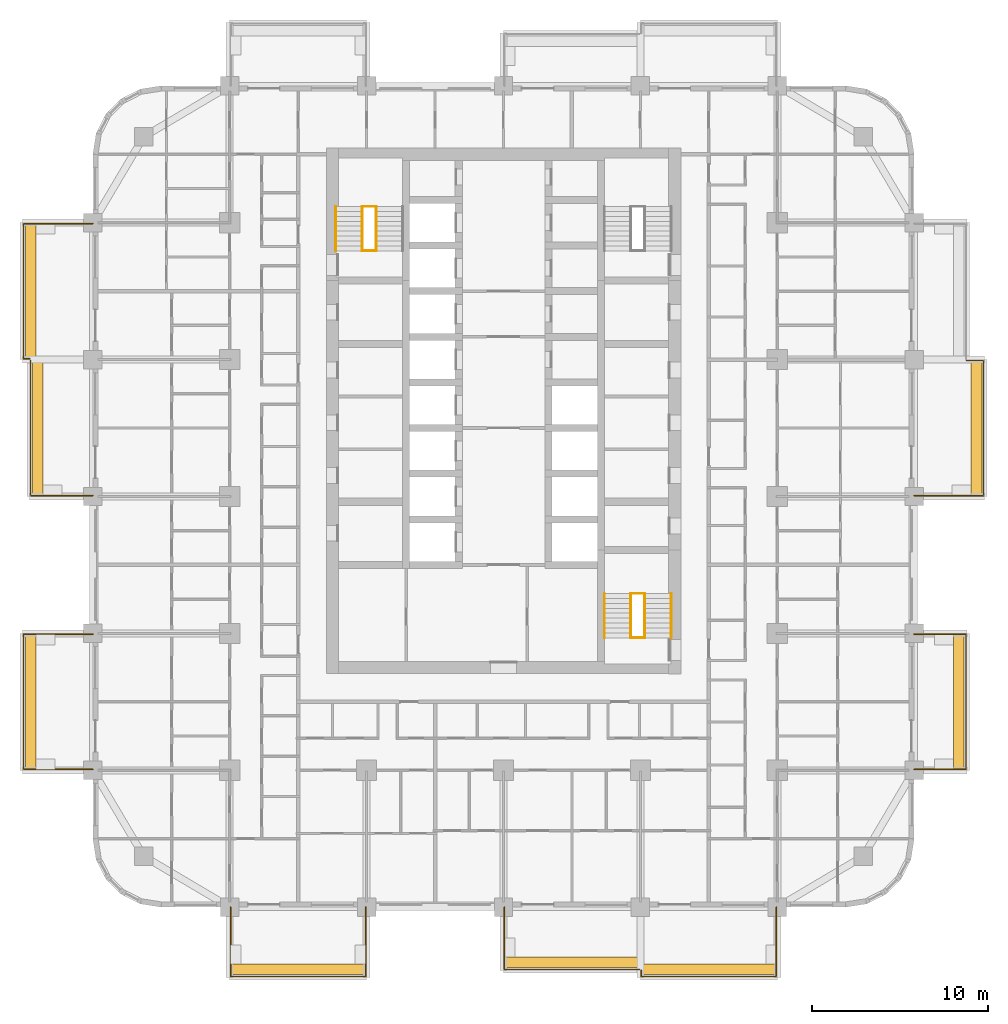
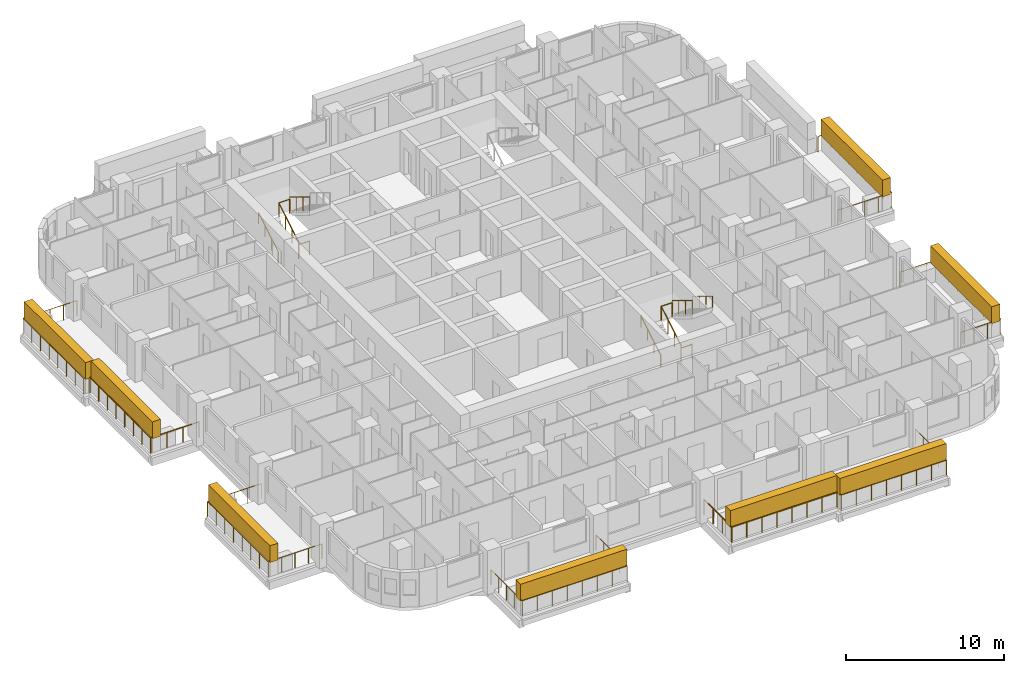
# One storey, part 17 of 18: 19 railings, 8 coverings, 2 elements without a shape of their own.
"""IFC4 building model written with IfcOpenShell, lengths in metres."""

from ifc_helpers import new_model, si_unit, direction, frame, origin, origin_2d, place, context, subcontext, project, spatial, rectangle, circle, extrude, material, layer, layer_set, type_object, element, aggregate, save


model = new_model("IFC4")

# Units and contexts
model_context = context("Model", 3, precision=1e-05, world=origin(), true_north=direction((0.0, 1.0)))
body_context = subcontext(model_context, "Body", "Model", "MODEL_VIEW")
ifc_project = project(units=[si_unit("LENGTHUNIT", "METRE"), si_unit("AREAUNIT", "SQUARE_METRE"), si_unit("VOLUMEUNIT", "CUBIC_METRE"), si_unit("PLANEANGLEUNIT", "RADIAN"), si_unit("MASSUNIT", "GRAM", prefix="KILO")], contexts=[model_context])

# Site, building, storey
site_placement = place(None, origin())
site = spatial("IfcSite", under=ifc_project, at=site_placement, CompositionType="ELEMENT")
building_placement = place(site_placement, origin())
building = spatial("IfcBuilding", under=site, at=building_placement, Name="Ludao Terraces", CompositionType="ELEMENT")
storey_placement = place(building_placement, frame((0.0, 0.0, 29.699951171875)))
storey = spatial("IfcBuildingStorey", under=building, at=storey_placement, Name="L07", CompositionType="ELEMENT", Elevation=29.699951171875)

# Railings
ifc_material_1 = material(Name="Stainless steel 304", Category="steel")
railing_type_1 = type_object("IfcRailingType", Name="ENV Balcony glass guard 1200", PredefinedType="GUARDRAIL", material=ifc_material_1)
railing_1_placement = place(storey_placement, frame((69.449951171875, 41.60009765625, 0.0)))
element("IfcRailing", 1, at=railing_1_placement, inside=storey, type_object=railing_type_1, Name="Balcony guard L07 S1", PredefinedType="GUARDRAIL", context=body_context, shape_type="SweptSolid", body=[
    extrude(circle(Radius=0.02392578125, at=origin_2d()), frame((0.0, 0.0, 1.17578125), z_axis=(0.0, -1.0, 0.0), x_axis=(1.0, 0.0, 0.0)), (0.0, 0.0, 1.0), 3.9501953125),
    extrude(circle(Radius=0.02392578125, at=origin_2d()), frame((0.0, -3.9501953125, 1.17578125), z_axis=(1.0, 0.0, 0.0), x_axis=(0.0, 1.0, 0.0)), (0.0, 0.0, 1.0), 7.699951171875),
    extrude(circle(Radius=0.02392578125, at=origin_2d()), frame((7.699951171875, -3.9501953125, 1.17578125), z_axis=(0.0, 1.0, 0.0), x_axis=(-1.0, 0.0, 0.0)), (0.0, 0.0, 1.0), 3.9501953125),
    extrude(circle(Radius=0.02099609375, at=origin_2d()), origin(), (0.0, 0.0, 1.0), 1.15185546875),
    extrude(circle(Radius=0.02099609375, at=origin_2d()), frame((0.0, -0.987548828125, 0.0)), (0.0, 0.0, 1.0), 1.15185546875),
    extrude(circle(Radius=0.02099609375, at=origin_2d()), frame((0.0, -1.97509765625, 0.0)), (0.0, 0.0, 1.0), 1.15185546875),
    extrude(circle(Radius=0.02099609375, at=origin_2d()), frame((0.0, -2.962646484375, 0.0)), (0.0, 0.0, 1.0), 1.15185546875),
    extrude(circle(Radius=0.02099609375, at=origin_2d()), frame((0.0, -3.9501953125, 0.0)), (0.0, 0.0, 1.0), 1.15185546875),
    extrude(circle(Radius=0.02099609375, at=origin_2d()), frame((1.10009765625, -3.9501953125, 0.0)), (0.0, 0.0, 1.0), 1.15185546875),
    extrude(circle(Radius=0.02099609375, at=origin_2d()), frame((2.199951171875, -3.9501953125, 0.0)), (0.0, 0.0, 1.0), 1.15185546875),
    extrude(circle(Radius=0.02099609375, at=origin_2d()), frame((3.300048828125, -3.9501953125, 0.0)), (0.0, 0.0, 1.0), 1.15185546875),
    extrude(circle(Radius=0.02099609375, at=origin_2d()), frame((4.39990234375, -3.9501953125, 0.0)), (0.0, 0.0, 1.0), 1.15185546875),
    extrude(circle(Radius=0.02099609375, at=origin_2d()), frame((5.5, -3.9501953125, 0.0)), (0.0, 0.0, 1.0), 1.15185546875),
    extrude(circle(Radius=0.02099609375, at=origin_2d()), frame((6.599853515625, -3.9501953125, 0.0)), (0.0, 0.0, 1.0), 1.15185546875),
    extrude(circle(Radius=0.02099609375, at=origin_2d()), frame((7.699951171875, -3.9501953125, 0.0)), (0.0, 0.0, 1.0), 1.15185546875),
    extrude(circle(Radius=0.02099609375, at=origin_2d()), frame((7.699951171875, -2.962646484375, 0.0)), (0.0, 0.0, 1.0), 1.15185546875),
    extrude(circle(Radius=0.02099609375, at=origin_2d()), frame((7.699951171875, -1.97509765625, 0.0)), (0.0, 0.0, 1.0), 1.15185546875),
    extrude(circle(Radius=0.02099609375, at=origin_2d()), frame((7.699951171875, -0.987548828125, 0.0)), (0.0, 0.0, 1.0), 1.15185546875),
    extrude(circle(Radius=0.02099609375, at=origin_2d()), frame((7.699951171875, 0.0, 0.0)), (0.0, 0.0, 1.0), 1.15185546875),
])
railing_2_placement = place(storey_placement, frame((85.050048828125, 41.60009765625, 0.0)))
element("IfcRailing", 2, at=railing_2_placement, inside=storey, type_object=railing_type_1, Name="Balcony guard L07 S3", PredefinedType="GUARDRAIL", context=body_context, shape_type="SweptSolid", body=[
    extrude(circle(Radius=0.02392578125, at=origin_2d()), frame((0.0, 0.0, 1.17578125), z_axis=(0.0, -1.0, 0.0), x_axis=(1.0, 0.0, 0.0)), (0.0, 0.0, 1.0), 3.550048828125),
    extrude(circle(Radius=0.02392578125, at=origin_2d()), frame((0.0, -3.550048828125, 1.17578125), z_axis=(1.0, 0.0, 0.0), x_axis=(0.0, 1.0, 0.0)), (0.0, 0.0, 1.0), 7.699951171875),
    extrude(circle(Radius=0.02099609375, at=origin_2d()), origin(), (0.0, 0.0, 1.0), 1.15185546875),
    extrude(circle(Radius=0.02099609375, at=origin_2d()), frame((0.0, -1.183349609375, 0.0)), (0.0, 0.0, 1.0), 1.15185546875),
    extrude(circle(Radius=0.02099609375, at=origin_2d()), frame((0.0, -2.36669921875, 0.0)), (0.0, 0.0, 1.0), 1.15185546875),
    extrude(circle(Radius=0.02099609375, at=origin_2d()), frame((0.0, -3.550048828125, 0.0)), (0.0, 0.0, 1.0), 1.15185546875),
    extrude(circle(Radius=0.02099609375, at=origin_2d()), frame((1.10009765625, -3.550048828125, 0.0)), (0.0, 0.0, 1.0), 1.15185546875),
    extrude(circle(Radius=0.02099609375, at=origin_2d()), frame((2.199951171875, -3.550048828125, 0.0)), (0.0, 0.0, 1.0), 1.15185546875),
    extrude(circle(Radius=0.02099609375, at=origin_2d()), frame((3.300048828125, -3.550048828125, 0.0)), (0.0, 0.0, 1.0), 1.15185546875),
    extrude(circle(Radius=0.02099609375, at=origin_2d()), frame((4.39990234375, -3.550048828125, 0.0)), (0.0, 0.0, 1.0), 1.15185546875),
    extrude(circle(Radius=0.02099609375, at=origin_2d()), frame((5.5, -3.550048828125, 0.0)), (0.0, 0.0, 1.0), 1.15185546875),
    extrude(circle(Radius=0.02099609375, at=origin_2d()), frame((6.599853515625, -3.550048828125, 0.0)), (0.0, 0.0, 1.0), 1.15185546875),
    extrude(circle(Radius=0.02099609375, at=origin_2d()), frame((7.699951171875, -3.550048828125, 0.0)), (0.0, 0.0, 1.0), 1.15185546875),
])
railing_3_placement = place(storey_placement, frame((92.85009765625, 38.0, 0.0)))
element("IfcRailing", 3, at=railing_3_placement, inside=storey, type_object=railing_type_1, Name="Balcony guard L07 S4", PredefinedType="GUARDRAIL", context=body_context, shape_type="SweptSolid", body=[
    extrude(circle(Radius=0.02392578125, at=origin_2d()), frame((0.0, 0.0, 1.17578125), z_axis=(0.0, -1.0, 0.0), x_axis=(1.0, 0.0, 0.0)), (0.0, 0.0, 1.0), 0.35009765625),
    extrude(circle(Radius=0.02392578125, at=origin_2d()), frame((0.0, -0.35009765625, 1.17578125), z_axis=(1.0, 0.0, 0.0), x_axis=(0.0, 1.0, 0.0)), (0.0, 0.0, 1.0), 7.699951171875),
    extrude(circle(Radius=0.02392578125, at=origin_2d()), frame((7.699951171875, -0.35009765625, 1.17578125), z_axis=(0.0, 1.0, 0.0), x_axis=(-1.0, 0.0, 0.0)), (0.0, 0.0, 1.0), 3.9501953125),
    extrude(circle(Radius=0.02099609375, at=origin_2d()), origin(), (0.0, 0.0, 1.0), 1.15185546875),
    extrude(circle(Radius=0.02099609375, at=origin_2d()), frame((0.0, -0.35009765625, 0.0)), (0.0, 0.0, 1.0), 1.15185546875),
    extrude(circle(Radius=0.02099609375, at=origin_2d()), frame((1.10009765625, -0.35009765625, 0.0)), (0.0, 0.0, 1.0), 1.15185546875),
    extrude(circle(Radius=0.02099609375, at=origin_2d()), frame((2.199951171875, -0.35009765625, 0.0)), (0.0, 0.0, 1.0), 1.15185546875),
    extrude(circle(Radius=0.02099609375, at=origin_2d()), frame((3.300048828125, -0.35009765625, 0.0)), (0.0, 0.0, 1.0), 1.15185546875),
    extrude(circle(Radius=0.02099609375, at=origin_2d()), frame((4.39990234375, -0.35009765625, 0.0)), (0.0, 0.0, 1.0), 1.15185546875),
    extrude(circle(Radius=0.02099609375, at=origin_2d()), frame((5.5, -0.35009765625, 0.0)), (0.0, 0.0, 1.0), 1.15185546875),
    extrude(circle(Radius=0.02099609375, at=origin_2d()), frame((6.599853515625, -0.35009765625, 0.0)), (0.0, 0.0, 1.0), 1.15185546875),
    extrude(circle(Radius=0.02099609375, at=origin_2d()), frame((7.699951171875, -0.35009765625, 0.0)), (0.0, 0.0, 1.0), 1.15185546875),
    extrude(circle(Radius=0.02099609375, at=origin_2d()), frame((7.699951171875, 0.637451171875, 0.0)), (0.0, 0.0, 1.0), 1.15185546875),
    extrude(circle(Radius=0.02099609375, at=origin_2d()), frame((7.699951171875, 1.625, 0.0)), (0.0, 0.0, 1.0), 1.15185546875),
    extrude(circle(Radius=0.02099609375, at=origin_2d()), frame((7.699951171875, 2.612548828125, 0.0)), (0.0, 0.0, 1.0), 1.15185546875),
    extrude(circle(Radius=0.02099609375, at=origin_2d()), frame((7.699951171875, 3.60009765625, 0.0)), (0.0, 0.0, 1.0), 1.15185546875),
])
railing_4_placement = place(storey_placement, frame((108.39990234375, 49.449951171875, 0.0)))
element("IfcRailing", 4, at=railing_4_placement, inside=storey, type_object=railing_type_1, Name="Balcony guard L07 E1", PredefinedType="GUARDRAIL", context=body_context, shape_type="SweptSolid", body=[
    extrude(circle(Radius=0.02392578125, at=origin_2d()), frame((0.0, 0.0, 1.17578125), z_axis=(1.0, 0.0, 0.0), x_axis=(0.0, 1.0, 0.0)), (0.0, 0.0, 1.0), 2.9501953125),
    extrude(circle(Radius=0.02392578125, at=origin_2d()), frame((2.9501953125, 0.0, 1.17578125), z_axis=(0.0, 1.0, 0.0), x_axis=(-1.0, 0.0, 0.0)), (0.0, 0.0, 1.0), 7.699951171875),
    extrude(circle(Radius=0.02392578125, at=origin_2d()), frame((2.9501953125, 7.699951171875, 1.17578125), z_axis=(-1.0, 0.0, 0.0), x_axis=(0.0, -1.0, 0.0)), (0.0, 0.0, 1.0), 2.9501953125),
    extrude(circle(Radius=0.02099609375, at=origin_2d()), origin(), (0.0, 0.0, 1.0), 1.15185546875),
    extrude(circle(Radius=0.02099609375, at=origin_2d()), frame((0.9833984375, 0.0, 0.0)), (0.0, 0.0, 1.0), 1.15185546875),
    extrude(circle(Radius=0.02099609375, at=origin_2d()), frame((1.966796875, 0.0, 0.0)), (0.0, 0.0, 1.0), 1.15185546875),
    extrude(circle(Radius=0.02099609375, at=origin_2d()), frame((2.9501953125, 0.0, 0.0)), (0.0, 0.0, 1.0), 1.15185546875),
    extrude(circle(Radius=0.02099609375, at=origin_2d()), frame((2.9501953125, 1.10009765625, 0.0)), (0.0, 0.0, 1.0), 1.15185546875),
    extrude(circle(Radius=0.02099609375, at=origin_2d()), frame((2.9501953125, 2.199951171875, 0.0)), (0.0, 0.0, 1.0), 1.15185546875),
    extrude(circle(Radius=0.02099609375, at=origin_2d()), frame((2.9501953125, 3.300048828125, 0.0)), (0.0, 0.0, 1.0), 1.15185546875),
    extrude(circle(Radius=0.02099609375, at=origin_2d()), frame((2.9501953125, 4.39990234375, 0.0)), (0.0, 0.0, 1.0), 1.15185546875),
    extrude(circle(Radius=0.02099609375, at=origin_2d()), frame((2.9501953125, 5.5, 0.0)), (0.0, 0.0, 1.0), 1.15185546875),
    extrude(circle(Radius=0.02099609375, at=origin_2d()), frame((2.9501953125, 6.599853515625, 0.0)), (0.0, 0.0, 1.0), 1.15185546875),
    extrude(circle(Radius=0.02099609375, at=origin_2d()), frame((2.9501953125, 7.699951171875, 0.0)), (0.0, 0.0, 1.0), 1.15185546875),
    extrude(circle(Radius=0.02099609375, at=origin_2d()), frame((1.966796875, 7.699951171875, 0.0)), (0.0, 0.0, 1.0), 1.15185546875),
    extrude(circle(Radius=0.02099609375, at=origin_2d()), frame((0.9833984375, 7.699951171875, 0.0)), (0.0, 0.0, 1.0), 1.15185546875),
    extrude(circle(Radius=0.02099609375, at=origin_2d()), frame((0.0, 7.699951171875, 0.0)), (0.0, 0.0, 1.0), 1.15185546875),
])
railing_5_placement = place(storey_placement, frame((108.39990234375, 65.050048828125, 0.0)))
element("IfcRailing", 5, at=railing_5_placement, inside=storey, type_object=railing_type_1, Name="Balcony guard L07 E3", PredefinedType="GUARDRAIL", context=body_context, shape_type="SweptSolid", body=[
    extrude(circle(Radius=0.02392578125, at=origin_2d()), frame((0.0, 0.0, 1.17578125), z_axis=(1.0, 0.0, 0.0), x_axis=(0.0, 1.0, 0.0)), (0.0, 0.0, 1.0), 3.9501953125),
    extrude(circle(Radius=0.02392578125, at=origin_2d()), frame((3.9501953125, 0.0, 1.17578125), z_axis=(0.0, 1.0, 0.0), x_axis=(-1.0, 0.0, 0.0)), (0.0, 0.0, 1.0), 7.699951171875),
    extrude(circle(Radius=0.02392578125, at=origin_2d()), frame((3.9501953125, 7.699951171875, 1.17578125), z_axis=(-1.0, 0.0, 0.0), x_axis=(0.0, -1.0, 0.0)), (0.0, 0.0, 1.0), 0.9501953125),
    extrude(circle(Radius=0.02099609375, at=origin_2d()), origin(), (0.0, 0.0, 1.0), 1.15185546875),
    extrude(circle(Radius=0.02099609375, at=origin_2d()), frame((0.987548828125, 0.0, 0.0)), (0.0, 0.0, 1.0), 1.15185546875),
    extrude(circle(Radius=0.02099609375, at=origin_2d()), frame((1.97509765625, 0.0, 0.0)), (0.0, 0.0, 1.0), 1.15185546875),
    extrude(circle(Radius=0.02099609375, at=origin_2d()), frame((2.962646484375, 0.0, 0.0)), (0.0, 0.0, 1.0), 1.15185546875),
    extrude(circle(Radius=0.02099609375, at=origin_2d()), frame((3.9501953125, 0.0, 0.0)), (0.0, 0.0, 1.0), 1.15185546875),
    extrude(circle(Radius=0.02099609375, at=origin_2d()), frame((3.9501953125, 1.10009765625, 0.0)), (0.0, 0.0, 1.0), 1.15185546875),
    extrude(circle(Radius=0.02099609375, at=origin_2d()), frame((3.9501953125, 2.199951171875, 0.0)), (0.0, 0.0, 1.0), 1.15185546875),
    extrude(circle(Radius=0.02099609375, at=origin_2d()), frame((3.9501953125, 3.300048828125, 0.0)), (0.0, 0.0, 1.0), 1.15185546875),
    extrude(circle(Radius=0.02099609375, at=origin_2d()), frame((3.9501953125, 4.39990234375, 0.0)), (0.0, 0.0, 1.0), 1.15185546875),
    extrude(circle(Radius=0.02099609375, at=origin_2d()), frame((3.9501953125, 5.5, 0.0)), (0.0, 0.0, 1.0), 1.15185546875),
    extrude(circle(Radius=0.02099609375, at=origin_2d()), frame((3.9501953125, 6.599853515625, 0.0)), (0.0, 0.0, 1.0), 1.15185546875),
    extrude(circle(Radius=0.02099609375, at=origin_2d()), frame((3.9501953125, 7.699951171875, 0.0)), (0.0, 0.0, 1.0), 1.15185546875),
    extrude(circle(Radius=0.02099609375, at=origin_2d()), frame((3.0, 7.699951171875, 0.0)), (0.0, 0.0, 1.0), 1.15185546875),
])
railing_6_placement = place(storey_placement, frame((61.60009765625, 49.449951171875, 0.0)))
element("IfcRailing", 6, at=railing_6_placement, inside=storey, type_object=railing_type_1, Name="Balcony guard L07 W1", PredefinedType="GUARDRAIL", context=body_context, shape_type="SweptSolid", body=[
    extrude(circle(Radius=0.02392578125, at=origin_2d()), frame((0.0, 0.0, 1.17578125), z_axis=(-1.0, 0.0, 0.0), x_axis=(0.0, -1.0, 0.0)), (0.0, 0.0, 1.0), 3.9501953125),
    extrude(circle(Radius=0.02392578125, at=origin_2d()), frame((-3.9501953125, 0.0, 1.17578125), z_axis=(0.0, 1.0, 0.0), x_axis=(-1.0, 0.0, 0.0)), (0.0, 0.0, 1.0), 7.699951171875),
    extrude(circle(Radius=0.02392578125, at=origin_2d()), frame((-3.9501953125, 7.699951171875, 1.17578125), z_axis=(1.0, 0.0, 0.0), x_axis=(0.0, 1.0, 0.0)), (0.0, 0.0, 1.0), 3.9501953125),
    extrude(circle(Radius=0.02099609375, at=origin_2d()), origin(), (0.0, 0.0, 1.0), 1.15185546875),
    extrude(circle(Radius=0.02099609375, at=origin_2d()), frame((-0.987548828125, 0.0, 0.0)), (0.0, 0.0, 1.0), 1.15185546875),
    extrude(circle(Radius=0.02099609375, at=origin_2d()), frame((-1.97509765625, 0.0, 0.0)), (0.0, 0.0, 1.0), 1.15185546875),
    extrude(circle(Radius=0.02099609375, at=origin_2d()), frame((-2.962646484375, 0.0, 0.0)), (0.0, 0.0, 1.0), 1.15185546875),
    extrude(circle(Radius=0.02099609375, at=origin_2d()), frame((-3.9501953125, 0.0, 0.0)), (0.0, 0.0, 1.0), 1.15185546875),
    extrude(circle(Radius=0.02099609375, at=origin_2d()), frame((-3.9501953125, 1.10009765625, 0.0)), (0.0, 0.0, 1.0), 1.15185546875),
    extrude(circle(Radius=0.02099609375, at=origin_2d()), frame((-3.9501953125, 2.199951171875, 0.0)), (0.0, 0.0, 1.0), 1.15185546875),
    extrude(circle(Radius=0.02099609375, at=origin_2d()), frame((-3.9501953125, 3.300048828125, 0.0)), (0.0, 0.0, 1.0), 1.15185546875),
    extrude(circle(Radius=0.02099609375, at=origin_2d()), frame((-3.9501953125, 4.39990234375, 0.0)), (0.0, 0.0, 1.0), 1.15185546875),
    extrude(circle(Radius=0.02099609375, at=origin_2d()), frame((-3.9501953125, 5.5, 0.0)), (0.0, 0.0, 1.0), 1.15185546875),
    extrude(circle(Radius=0.02099609375, at=origin_2d()), frame((-3.9501953125, 6.599853515625, 0.0)), (0.0, 0.0, 1.0), 1.15185546875),
    extrude(circle(Radius=0.02099609375, at=origin_2d()), frame((-3.9501953125, 7.699951171875, 0.0)), (0.0, 0.0, 1.0), 1.15185546875),
    extrude(circle(Radius=0.02099609375, at=origin_2d()), frame((-2.962646484375, 7.699951171875, 0.0)), (0.0, 0.0, 1.0), 1.15185546875),
    extrude(circle(Radius=0.02099609375, at=origin_2d()), frame((-1.97509765625, 7.699951171875, 0.0)), (0.0, 0.0, 1.0), 1.15185546875),
    extrude(circle(Radius=0.02099609375, at=origin_2d()), frame((-0.987548828125, 7.699951171875, 0.0)), (0.0, 0.0, 1.0), 1.15185546875),
    extrude(circle(Radius=0.02099609375, at=origin_2d()), frame((0.0, 7.699951171875, 0.0)), (0.0, 0.0, 1.0), 1.15185546875),
])
railing_7_placement = place(storey_placement, frame((61.60009765625, 65.050048828125, 0.0)))
element("IfcRailing", 7, at=railing_7_placement, inside=storey, type_object=railing_type_1, Name="Balcony guard L07 W3", PredefinedType="GUARDRAIL", context=body_context, shape_type="SweptSolid", body=[
    extrude(circle(Radius=0.02392578125, at=origin_2d()), frame((0.0, 0.0, 1.17578125), z_axis=(-1.0, 0.0, 0.0), x_axis=(0.0, -1.0, 0.0)), (0.0, 0.0, 1.0), 3.550048828125),
    extrude(circle(Radius=0.02392578125, at=origin_2d()), frame((-3.550048828125, 0.0, 1.17578125), z_axis=(0.0, 1.0, 0.0), x_axis=(-1.0, 0.0, 0.0)), (0.0, 0.0, 1.0), 7.699951171875),
    extrude(circle(Radius=0.02099609375, at=origin_2d()), origin(), (0.0, 0.0, 1.0), 1.15185546875),
    extrude(circle(Radius=0.02099609375, at=origin_2d()), frame((-1.183349609375, 0.0, 0.0)), (0.0, 0.0, 1.0), 1.15185546875),
    extrude(circle(Radius=0.02099609375, at=origin_2d()), frame((-2.36669921875, 0.0, 0.0)), (0.0, 0.0, 1.0), 1.15185546875),
    extrude(circle(Radius=0.02099609375, at=origin_2d()), frame((-3.550048828125, 0.0, 0.0)), (0.0, 0.0, 1.0), 1.15185546875),
    extrude(circle(Radius=0.02099609375, at=origin_2d()), frame((-3.550048828125, 1.10009765625, 0.0)), (0.0, 0.0, 1.0), 1.15185546875),
    extrude(circle(Radius=0.02099609375, at=origin_2d()), frame((-3.550048828125, 2.199951171875, 0.0)), (0.0, 0.0, 1.0), 1.15185546875),
    extrude(circle(Radius=0.02099609375, at=origin_2d()), frame((-3.550048828125, 3.300048828125, 0.0)), (0.0, 0.0, 1.0), 1.15185546875),
    extrude(circle(Radius=0.02099609375, at=origin_2d()), frame((-3.550048828125, 4.39990234375, 0.0)), (0.0, 0.0, 1.0), 1.15185546875),
    extrude(circle(Radius=0.02099609375, at=origin_2d()), frame((-3.550048828125, 5.5, 0.0)), (0.0, 0.0, 1.0), 1.15185546875),
    extrude(circle(Radius=0.02099609375, at=origin_2d()), frame((-3.550048828125, 6.599853515625, 0.0)), (0.0, 0.0, 1.0), 1.15185546875),
    extrude(circle(Radius=0.02099609375, at=origin_2d()), frame((-3.550048828125, 7.699951171875, 0.0)), (0.0, 0.0, 1.0), 1.15185546875),
])
railing_8_placement = place(storey_placement, frame((58.0, 72.85009765625, 0.0)))
element("IfcRailing", 8, at=railing_8_placement, inside=storey, type_object=railing_type_1, Name="Balcony guard L07 W4", PredefinedType="GUARDRAIL", context=body_context, shape_type="SweptSolid", body=[
    extrude(circle(Radius=0.02392578125, at=origin_2d()), frame((0.0, 0.0, 1.17578125), z_axis=(-1.0, 0.0, 0.0), x_axis=(0.0, -1.0, 0.0)), (0.0, 0.0, 1.0), 0.35009765625),
    extrude(circle(Radius=0.02392578125, at=origin_2d()), frame((-0.35009765625, 0.0, 1.17578125), z_axis=(0.0, 1.0, 0.0), x_axis=(-1.0, 0.0, 0.0)), (0.0, 0.0, 1.0), 7.699951171875),
    extrude(circle(Radius=0.02392578125, at=origin_2d()), frame((-0.35009765625, 7.699951171875, 1.17578125), z_axis=(1.0, 0.0, 0.0), x_axis=(0.0, 1.0, 0.0)), (0.0, 0.0, 1.0), 3.9501953125),
    extrude(circle(Radius=0.02099609375, at=origin_2d()), origin(), (0.0, 0.0, 1.0), 1.15185546875),
    extrude(circle(Radius=0.02099609375, at=origin_2d()), frame((-0.35009765625, 0.0, 0.0)), (0.0, 0.0, 1.0), 1.15185546875),
    extrude(circle(Radius=0.02099609375, at=origin_2d()), frame((-0.35009765625, 1.10009765625, 0.0)), (0.0, 0.0, 1.0), 1.15185546875),
    extrude(circle(Radius=0.02099609375, at=origin_2d()), frame((-0.35009765625, 2.199951171875, 0.0)), (0.0, 0.0, 1.0), 1.15185546875),
    extrude(circle(Radius=0.02099609375, at=origin_2d()), frame((-0.35009765625, 3.300048828125, 0.0)), (0.0, 0.0, 1.0), 1.15185546875),
    extrude(circle(Radius=0.02099609375, at=origin_2d()), frame((-0.35009765625, 4.39990234375, 0.0)), (0.0, 0.0, 1.0), 1.15185546875),
    extrude(circle(Radius=0.02099609375, at=origin_2d()), frame((-0.35009765625, 5.5, 0.0)), (0.0, 0.0, 1.0), 1.15185546875),
    extrude(circle(Radius=0.02099609375, at=origin_2d()), frame((-0.35009765625, 6.599853515625, 0.0)), (0.0, 0.0, 1.0), 1.15185546875),
    extrude(circle(Radius=0.02099609375, at=origin_2d()), frame((-0.35009765625, 7.699951171875, 0.0)), (0.0, 0.0, 1.0), 1.15185546875),
    extrude(circle(Radius=0.02099609375, at=origin_2d()), frame((0.637451171875, 7.699951171875, 0.0)), (0.0, 0.0, 1.0), 1.15185546875),
    extrude(circle(Radius=0.02099609375, at=origin_2d()), frame((1.625, 7.699951171875, 0.0)), (0.0, 0.0, 1.0), 1.15185546875),
    extrude(circle(Radius=0.02099609375, at=origin_2d()), frame((2.612548828125, 7.699951171875, 0.0)), (0.0, 0.0, 1.0), 1.15185546875),
    extrude(circle(Radius=0.02099609375, at=origin_2d()), frame((3.60009765625, 7.699951171875, 0.0)), (0.0, 0.0, 1.0), 1.15185546875),
])

# Coverings
ifc_material_2 = material(Name="Planting")
ifc_layer = layer(ifc_material_2, 0.60009765625)
ifc_layer_set = layer_set([ifc_layer], Name="ENV Planting hedge 600x1300")
covering_type = type_object("IfcCoveringType", Name="ENV Planting hedge 600x1300", PredefinedType="USERDEFINED", material=ifc_layer_set)
for number, where, z_axis, x_axis, name in (
    (9, (73.300048828125, 38.050048828125, 1.10009765625), (0.0, 0.0, 1.0), (1.0, 0.0, 0.0), "Planting hedge L07-S1"),
    (10, (88.89990234375, 38.449951171875, 1.10009765625), (0.0, 0.0, 1.0), (1.0, 0.0, 0.0), "Planting hedge L07-S3"),
    (11, (96.699951171875, 38.050048828125, 1.10009765625), (0.0, 0.0, 1.0), (1.0, 0.0, 0.0), "Planting hedge L07-S4"),
):
    element("IfcCovering", number, at=place(storey_placement, frame(where, z_axis=z_axis, x_axis=x_axis)), inside=storey, type_object=covering_type, Name=name, ObjectType="PLANTING", PredefinedType="USERDEFINED", context=body_context, shape_type="SweptSolid", body=[
        extrude(rectangle(XDim=7.800048828125, YDim=0.60009765625, at=origin_2d()), origin(), (0.0, 0.0, 1.0), 1.300048828125),
    ])
for number, where, z_axis, x_axis, name in (
    (12, (110.949951171875, 53.300048828125, 1.10009765625), (0.0, 0.0, 1.0), (1.0, 0.0, 0.0), "Planting hedge L07-E1"),
    (13, (111.949951171875, 68.89990234375, 1.10009765625), (0.0, 0.0, 1.0), (1.0, 0.0, 0.0), "Planting hedge L07-E3"),
    (14, (58.050048828125, 53.300048828125, 1.10009765625), (0.0, 0.0, 1.0), (1.0, 0.0, 0.0), "Planting hedge L07-W1"),
    (15, (58.449951171875, 68.89990234375, 1.10009765625), (0.0, 0.0, 1.0), (1.0, 0.0, 0.0), "Planting hedge L07-W3"),
    (16, (58.050048828125, 76.699951171875, 1.10009765625), (0.0, 0.0, 1.0), (1.0, 0.0, 0.0), "Planting hedge L07-W4"),
):
    element("IfcCovering", number, at=place(storey_placement, frame(where, z_axis=z_axis, x_axis=x_axis)), inside=storey, type_object=covering_type, Name=name, ObjectType="PLANTING", PredefinedType="USERDEFINED", context=body_context, shape_type="SweptSolid", body=[
        extrude(rectangle(XDim=0.60009765625, YDim=7.800048828125, at=origin_2d()), origin(), (0.0, 0.0, 1.0), 1.300048828125),
    ])

# Stair, railings
ifc_material_3 = material(Name="Concrete C40", Category="concrete")
stair_type = type_object("IfcStairType", Name="INT Stair", PredefinedType="HALF_TURN_STAIR", material=ifc_material_3)
stair_1_placement = place(storey_placement, origin())
stair_1 = element("IfcStair", 17, at=stair_1_placement, inside=storey, type_object=stair_type, Name="EXIT STAIR 1", PredefinedType="HALF_TURN_STAIR")
railing_type_2 = type_object("IfcRailingType", Name="INT Stair guard 1100", PredefinedType="GUARDRAIL", material=ifc_material_1)
railing_9_placement = place(storey_placement, frame((76.949951171875, 79.0, 0.170166015625)))
railing_9 = element("IfcRailing", 18, at=railing_9_placement, type_object=railing_type_2, Name="ST-L07-S1-R1G", PredefinedType="GUARDRAIL", context=body_context, shape_type="SweptSolid", body=[
    extrude(circle(Radius=0.02392578125, at=origin_2d()), frame((0.0, 0.0, 1.076171875), z_axis=(0.0, 0.854821627497, 0.518921945155), x_axis=(-1.0, 0.0, 0.0)), (0.0, 0.0, 1.0), 2.947998046875),
    extrude(circle(Radius=0.02099609375, at=origin_2d()), origin(), (0.0, 0.0, 1.0), 1.052001953125),
    extrude(circle(Radius=0.02099609375, at=origin_2d()), frame((0.0, 0.840087890625, 0.510009765625)), (0.0, 0.0, 1.0), 1.052001953125),
    extrude(circle(Radius=0.02099609375, at=origin_2d()), frame((0.0, 1.679931640625, 1.019775390625)), (0.0, 0.0, 1.0), 1.052001953125),
    extrude(circle(Radius=0.02099609375, at=origin_2d()), frame((0.0, 2.52001953125, 1.52978515625)), (0.0, 0.0, 1.0), 1.052001953125),
])
railing_10_placement = place(storey_placement, frame((77.75, 81.52001953125, 1.8701171875)))
railing_10 = element("IfcRailing", 19, at=railing_10_placement, type_object=railing_type_2, Name="ST-L07-S1-R2G", PredefinedType="GUARDRAIL", context=body_context, shape_type="SweptSolid", body=[
    extrude(circle(Radius=0.02392578125, at=origin_2d()), frame((0.0, 0.0, 1.076171875), z_axis=(0.0, -0.85478489116, 0.518982456201), x_axis=(1.0, 0.0, 0.0)), (0.0, 0.0, 1.0), 2.9482421875),
    extrude(circle(Radius=0.02099609375, at=origin_2d()), origin(), (0.0, 0.0, 1.0), 1.052001953125),
    extrude(circle(Radius=0.02099609375, at=origin_2d()), frame((0.0, -0.840087890625, 0.510009765625)), (0.0, 0.0, 1.0), 1.052001953125),
    extrude(circle(Radius=0.02099609375, at=origin_2d()), frame((0.0, -1.679931640625, 1.02001953125)), (0.0, 0.0, 1.0), 1.052001953125),
    extrude(circle(Radius=0.02099609375, at=origin_2d()), frame((0.0, -2.52001953125, 1.530029296875)), (0.0, 0.0, 1.0), 1.052001953125),
])
railing_11_placement = place(storey_placement, frame((76.949951171875, 81.52001953125, 1.699951171875)))
railing_11 = element("IfcRailing", 20, at=railing_11_placement, type_object=railing_type_2, Name="ST-L07-S1-E1G", PredefinedType="GUARDRAIL", context=body_context, shape_type="SweptSolid", body=[
    extrude(circle(Radius=0.02392578125, at=origin_2d()), frame((0.0, 0.0, 1.076171875), z_axis=(1.0, 0.0, 0.0), x_axis=(0.0, 1.0, 0.0)), (0.0, 0.0, 1.0), 0.800048828125),
    extrude(circle(Radius=0.02099609375, at=origin_2d()), origin(), (0.0, 0.0, 1.0), 1.052001953125),
    extrude(circle(Radius=0.02099609375, at=origin_2d()), frame((0.800048828125, 0.0, 0.0)), (0.0, 0.0, 1.0), 1.052001953125),
])
railing_12_placement = place(storey_placement, frame((76.949951171875, 79.0, 0.0)))
railing_12 = element("IfcRailing", 21, at=railing_12_placement, type_object=railing_type_2, Name="ST-L07-S1-E2G", PredefinedType="GUARDRAIL", context=body_context, shape_type="SweptSolid", body=[
    extrude(circle(Radius=0.02392578125, at=origin_2d()), frame((0.0, 0.0, 1.076171875), z_axis=(1.0, 0.0, 0.0), x_axis=(0.0, 1.0, 0.0)), (0.0, 0.0, 1.0), 0.800048828125),
    extrude(circle(Radius=0.02099609375, at=origin_2d()), origin(), (0.0, 0.0, 1.0), 1.052001953125),
    extrude(circle(Radius=0.02099609375, at=origin_2d()), frame((0.800048828125, 0.0, 0.0)), (0.0, 0.0, 1.0), 1.052001953125),
])

stair_2_placement = place(storey_placement, origin())
stair_2 = element("IfcStair", 22, at=stair_2_placement, inside=storey, type_object=stair_type, Name="EXIT STAIR 3", PredefinedType="HALF_TURN_STAIR")
railing_13_placement = place(storey_placement, frame((92.25, 56.949951171875, 0.170166015625)))
railing_13 = element("IfcRailing", 23, at=railing_13_placement, type_object=railing_type_2, Name="ST-L07-S3-R1G", PredefinedType="GUARDRAIL", context=body_context, shape_type="SweptSolid", body=[
    extrude(circle(Radius=0.02392578125, at=origin_2d()), frame((0.0, 0.0, 1.076171875), z_axis=(0.0, 0.854821627497, 0.518921945155), x_axis=(-1.0, 0.0, 0.0)), (0.0, 0.0, 1.0), 2.947998046875),
    extrude(circle(Radius=0.02099609375, at=origin_2d()), origin(), (0.0, 0.0, 1.0), 1.052001953125),
    extrude(circle(Radius=0.02099609375, at=origin_2d()), frame((0.0, 0.840087890625, 0.510009765625)), (0.0, 0.0, 1.0), 1.052001953125),
    extrude(circle(Radius=0.02099609375, at=origin_2d()), frame((0.0, 1.679931640625, 1.019775390625)), (0.0, 0.0, 1.0), 1.052001953125),
    extrude(circle(Radius=0.02099609375, at=origin_2d()), frame((0.0, 2.52001953125, 1.52978515625)), (0.0, 0.0, 1.0), 1.052001953125),
])
railing_14_placement = place(storey_placement, frame((93.050048828125, 59.469970703125, 1.8701171875)))
railing_14 = element("IfcRailing", 24, at=railing_14_placement, type_object=railing_type_2, Name="ST-L07-S3-R2G", PredefinedType="GUARDRAIL", context=body_context, shape_type="SweptSolid", body=[
    extrude(circle(Radius=0.02392578125, at=origin_2d()), frame((0.0, 0.0, 1.076171875), z_axis=(0.0, -0.85478489116, 0.518982456201), x_axis=(1.0, 0.0, 0.0)), (0.0, 0.0, 1.0), 2.9482421875),
    extrude(circle(Radius=0.02099609375, at=origin_2d()), origin(), (0.0, 0.0, 1.0), 1.052001953125),
    extrude(circle(Radius=0.02099609375, at=origin_2d()), frame((0.0, -0.840087890625, 0.510009765625)), (0.0, 0.0, 1.0), 1.052001953125),
    extrude(circle(Radius=0.02099609375, at=origin_2d()), frame((0.0, -1.679931640625, 1.02001953125)), (0.0, 0.0, 1.0), 1.052001953125),
    extrude(circle(Radius=0.02099609375, at=origin_2d()), frame((0.0, -2.52001953125, 1.530029296875)), (0.0, 0.0, 1.0), 1.052001953125),
])
railing_15_placement = place(storey_placement, frame((92.25, 59.469970703125, 1.699951171875)))
railing_15 = element("IfcRailing", 25, at=railing_15_placement, type_object=railing_type_2, Name="ST-L07-S3-E1G", PredefinedType="GUARDRAIL", context=body_context, shape_type="SweptSolid", body=[
    extrude(circle(Radius=0.02392578125, at=origin_2d()), frame((0.0, 0.0, 1.076171875), z_axis=(1.0, 0.0, 0.0), x_axis=(0.0, 1.0, 0.0)), (0.0, 0.0, 1.0), 0.800048828125),
    extrude(circle(Radius=0.02099609375, at=origin_2d()), origin(), (0.0, 0.0, 1.0), 1.052001953125),
    extrude(circle(Radius=0.02099609375, at=origin_2d()), frame((0.800048828125, 0.0, 0.0)), (0.0, 0.0, 1.0), 1.052001953125),
])
railing_16_placement = place(storey_placement, frame((92.25, 56.949951171875, 0.0)))
railing_16 = element("IfcRailing", 26, at=railing_16_placement, type_object=railing_type_2, Name="ST-L07-S3-E2G", PredefinedType="GUARDRAIL", context=body_context, shape_type="SweptSolid", body=[
    extrude(circle(Radius=0.02392578125, at=origin_2d()), frame((0.0, 0.0, 1.076171875), z_axis=(1.0, 0.0, 0.0), x_axis=(0.0, 1.0, 0.0)), (0.0, 0.0, 1.0), 0.800048828125),
    extrude(circle(Radius=0.02099609375, at=origin_2d()), origin(), (0.0, 0.0, 1.0), 1.052001953125),
    extrude(circle(Radius=0.02099609375, at=origin_2d()), frame((0.800048828125, 0.0, 0.0)), (0.0, 0.0, 1.0), 1.052001953125),
])

# Railing
railing_type_3 = type_object("IfcRailingType", Name="INT Stair handrail 900", PredefinedType="HANDRAIL", material=ifc_material_1)
railing_17_placement = place(storey_placement, frame((75.449951171875, 79.0, 0.170166015625)))
railing_17 = element("IfcRailing", 27, at=railing_17_placement, type_object=railing_type_3, Name="ST-L07-S1-R1H", PredefinedType="HANDRAIL", context=body_context, shape_type="SweptSolid", body=[
    extrude(circle(Radius=0.02392578125, at=origin_2d()), frame((0.0, 0.0, 0.8759765625), z_axis=(0.0, 0.854821627497, 0.518921945155), x_axis=(-1.0, 0.0, 0.0)), (0.0, 0.0, 1.0), 2.947998046875),
    extrude(circle(Radius=0.02099609375, at=origin_2d()), origin(), (0.0, 0.0, 1.0), 0.851806640625),
    extrude(circle(Radius=0.02099609375, at=origin_2d()), frame((0.0, 0.840087890625, 0.510009765625)), (0.0, 0.0, 1.0), 0.851806640625),
    extrude(circle(Radius=0.02099609375, at=origin_2d()), frame((0.0, 1.679931640625, 1.019775390625)), (0.0, 0.0, 1.0), 0.851806640625),
    extrude(circle(Radius=0.02099609375, at=origin_2d()), frame((0.0, 2.52001953125, 1.52978515625)), (0.0, 0.0, 1.0), 0.851806640625),
])

aggregate(stair_1, [railing_9, railing_17, railing_10, railing_11, railing_12])

railing_18_placement = place(storey_placement, frame((90.75, 56.949951171875, 0.170166015625)))
railing_18 = element("IfcRailing", 28, at=railing_18_placement, type_object=railing_type_3, Name="ST-L07-S3-R1H", PredefinedType="HANDRAIL", context=body_context, shape_type="SweptSolid", body=[
    extrude(circle(Radius=0.02392578125, at=origin_2d()), frame((0.0, 0.0, 0.8759765625), z_axis=(0.0, 0.854821627497, 0.518921945155), x_axis=(-1.0, 0.0, 0.0)), (0.0, 0.0, 1.0), 2.947998046875),
    extrude(circle(Radius=0.02099609375, at=origin_2d()), origin(), (0.0, 0.0, 1.0), 0.851806640625),
    extrude(circle(Radius=0.02099609375, at=origin_2d()), frame((0.0, 0.840087890625, 0.510009765625)), (0.0, 0.0, 1.0), 0.851806640625),
    extrude(circle(Radius=0.02099609375, at=origin_2d()), frame((0.0, 1.679931640625, 1.019775390625)), (0.0, 0.0, 1.0), 0.851806640625),
    extrude(circle(Radius=0.02099609375, at=origin_2d()), frame((0.0, 2.52001953125, 1.52978515625)), (0.0, 0.0, 1.0), 0.851806640625),
])

railing_19_placement = place(storey_placement, frame((94.550048828125, 59.469970703125, 1.8701171875)))
railing_19 = element("IfcRailing", 29, at=railing_19_placement, type_object=railing_type_3, Name="ST-L07-S3-R2H", PredefinedType="HANDRAIL", context=body_context, shape_type="SweptSolid", body=[
    extrude(circle(Radius=0.02392578125, at=origin_2d()), frame((0.0, 0.0, 0.8759765625), z_axis=(0.0, -0.85478489116, 0.518982456201), x_axis=(1.0, 0.0, 0.0)), (0.0, 0.0, 1.0), 2.9482421875),
    extrude(circle(Radius=0.02099609375, at=origin_2d()), origin(), (0.0, 0.0, 1.0), 0.851806640625),
    extrude(circle(Radius=0.02099609375, at=origin_2d()), frame((0.0, -0.840087890625, 0.510009765625)), (0.0, 0.0, 1.0), 0.851806640625),
    extrude(circle(Radius=0.02099609375, at=origin_2d()), frame((0.0, -1.679931640625, 1.02001953125)), (0.0, 0.0, 1.0), 0.851806640625),
    extrude(circle(Radius=0.02099609375, at=origin_2d()), frame((0.0, -2.52001953125, 1.530029296875)), (0.0, 0.0, 1.0), 0.851806640625),
])

aggregate(stair_2, [railing_13, railing_18, railing_14, railing_19, railing_15, railing_16])

save(model, "model.ifc")
